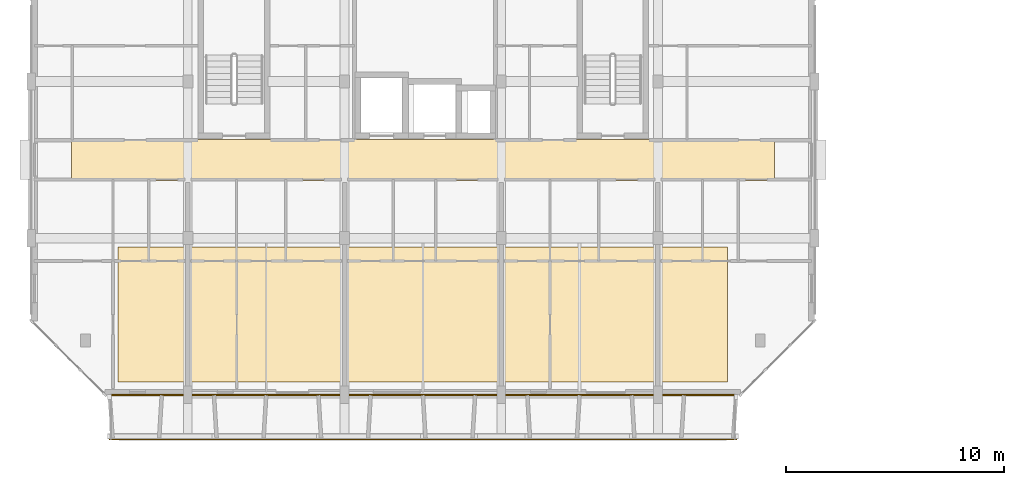
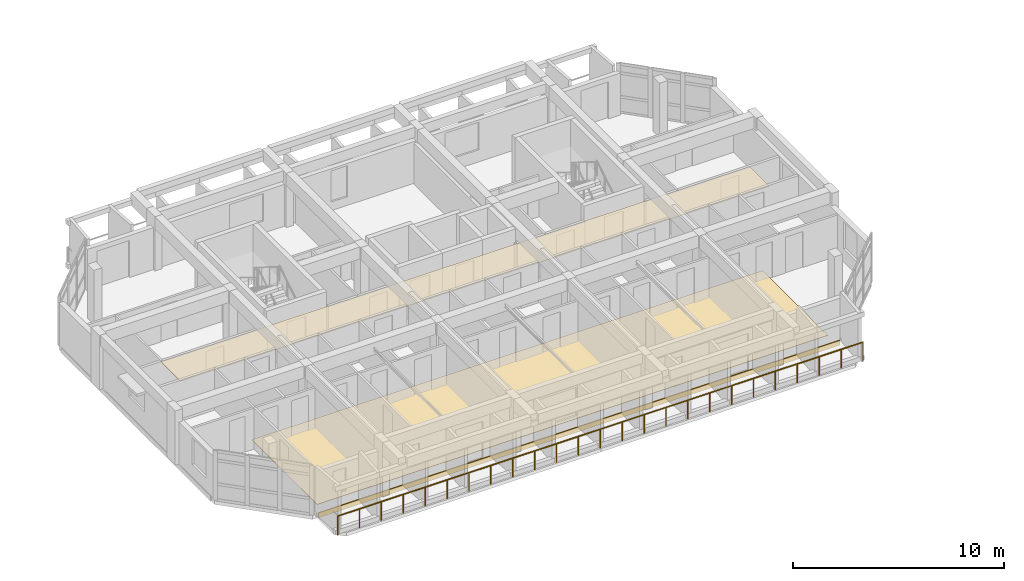
# One storey, part 37 of 46: 3 coverings, 1 railing.
"""IFC4 building model written with IfcOpenShell, lengths in metres."""

import ifcopenshell
import ifcopenshell.guid

model = None  # the IFC model being written
_history = None  # IfcOwnerHistory: only IFC2X3 demands one
_inside = {}  # id of a spatial element -> (the spatial element, [elements in it])
_under = {}  # id of a project, library or spatial element -> (it, [spatial elements below it])
_declared = {}  # id of a project -> (the project, [libraries it declares])
_typed = {}  # id of a type object -> (the type object, [elements of that type])
_made_of = {}  # id of a material, layer set ... -> (it, [elements and type objects made of it])


def new_model(schema):
    """Start an empty IFC model of exactly this schema.

    Asked for "IFC4X3", IfcOpenShell would pick the latest addendum, in which some entities
    have other attributes; the version numbers below select the first issue.
    IFC2X3 requires an IfcOwnerHistory on every rooted entity: one is made here for all.
    """
    global model, _history
    if schema == "IFC4X3":
        model = ifcopenshell.file(schema_version=(4, 3, 0, 0))
    else:
        model = ifcopenshell.file(schema=schema)
    _inside.clear()
    _under.clear()
    _declared.clear()
    _typed.clear()
    _made_of.clear()
    _history = None
    if model.schema == "IFC2X3":
        org = make("IfcOrganization", Name="unknown")
        user = make(
            "IfcPersonAndOrganization",
            ThePerson=make("IfcPerson", FamilyName="unknown"),
            TheOrganization=org,
        )
        app = make(
            "IfcApplication",
            ApplicationDeveloper=org,
            Version="unknown",
            ApplicationFullName="unknown",
            ApplicationIdentifier="unknown",
        )
        _history = make(
            "IfcOwnerHistory",
            OwningUser=user,
            OwningApplication=app,
            ChangeAction="ADDED",
            CreationDate=0,
        )
    return model


def make(cls, **values):
    """One entity of the class cls with the attributes given. An attribute that is None is left unset."""
    return model.create_entity(
        cls, **{name: value for name, value in values.items() if value is not None}
    )


def rooted(cls, **values):
    """An entity with a GlobalId (a new one), such as an element, a storey or a relation."""
    return make(cls, GlobalId=ifcopenshell.guid.new(), OwnerHistory=_history, **values)


def si_unit(unit_type, name, prefix=None):
    """IfcSIUnit, for example si_unit("LENGTHUNIT", "METRE", prefix="MILLI")."""
    return make("IfcSIUnit", UnitType=unit_type, Prefix=prefix, Name=name)


def assignment(units):
    """IfcUnitAssignment: the units of a project."""
    return None if units is None else make("IfcUnitAssignment", Units=units)


def point(xyz):
    """IfcCartesianPoint."""
    return None if xyz is None else make("IfcCartesianPoint", Coordinates=xyz)


def direction(xyz):
    """IfcDirection."""
    return None if xyz is None else make("IfcDirection", DirectionRatios=xyz)


def frame(location, z_axis=None, x_axis=None):
    """IfcAxis2Placement3D, a coordinate frame: its origin and axes. An axis left out is left unset."""
    return make(
        "IfcAxis2Placement3D",
        Location=point(location),
        Axis=direction(z_axis),
        RefDirection=direction(x_axis),
    )


def frame_2d(location, x_axis=None):
    """IfcAxis2Placement2D, a coordinate frame in the plane: its origin and x axis."""
    return make(
        "IfcAxis2Placement2D", Location=point(location), RefDirection=direction(x_axis)
    )


def origin():
    """The frame at (0, 0, 0) with its axes left unset."""
    return frame((0.0, 0.0, 0.0))


def origin_2d():
    """The frame at (0, 0) in the plane with its x axis left unset."""
    return frame_2d((0.0, 0.0))


def place(relative_to, where):
    """IfcLocalPlacement: puts the frame where relative to a parent placement (None: the world)."""
    return make(
        "IfcLocalPlacement", PlacementRelTo=relative_to, RelativePlacement=where
    )


def context(
    kind, dimensions, precision=None, world=None, true_north=None, identifier=None
):
    """IfcGeometricRepresentationContext, for example the 3D "Model" context."""
    return make(
        "IfcGeometricRepresentationContext",
        ContextIdentifier=identifier,
        ContextType=kind,
        CoordinateSpaceDimension=dimensions,
        Precision=precision,
        WorldCoordinateSystem=world,
        TrueNorth=true_north,
    )


def subcontext(parent, identifier, kind, view, scale=None):
    """IfcGeometricRepresentationSubContext, for example "Body" below "Model"."""
    return make(
        "IfcGeometricRepresentationSubContext",
        ContextIdentifier=identifier,
        ContextType=kind,
        ParentContext=parent,
        TargetScale=scale,
        TargetView=view,
    )


def project(units=None, contexts=None):
    """IfcProject with its units and contexts."""
    return rooted(
        "IfcProject",
        Name="project",
        RepresentationContexts=contexts,
        UnitsInContext=assignment(units),
    )


def spatial(cls, under=None, at=None, **own):
    """A site, building, storey or space (cls), placed at a placement, below another one or the project."""
    s = rooted(cls, ObjectPlacement=at, **own)
    if under is not None:
        _under.setdefault(under.id(), (under, []))[1].append(s)
    return s


def polyline(points):
    """IfcPolyline through the points."""
    return make("IfcPolyline", Points=[point(p) for p in points])


def profile(cls, at=None, kind="AREA", **sizes):
    """A parametric profile (cls). Its sizes go by their IFC names, for example OverallWidth=200.0."""
    return make(cls, ProfileType=kind, Position=at, **sizes)


def rectangle(**sizes):
    """IfcRectangleProfileDef."""
    return profile("IfcRectangleProfileDef", **sizes)


def circle(**sizes):
    """IfcCircleProfileDef."""
    return profile("IfcCircleProfileDef", **sizes)


def outline(outer, holes=None, kind="AREA"):
    """IfcArbitraryClosedProfileDef: a profile drawn as a closed curve; with holes, ...WithVoids."""
    if holes is None:
        return make("IfcArbitraryClosedProfileDef", ProfileType=kind, OuterCurve=outer)
    return make(
        "IfcArbitraryProfileDefWithVoids",
        ProfileType=kind,
        OuterCurve=outer,
        InnerCurves=holes,
    )


def extrude(swept, where, along, depth):
    """IfcExtrudedAreaSolid: the profile swept, set in the frame where, extruded along a direction by depth."""
    return make(
        "IfcExtrudedAreaSolid",
        SweptArea=swept,
        Position=where,
        ExtrudedDirection=direction(along),
        Depth=depth,
    )


def shape(context_of_items, identifier, shape_type, items):
    """IfcShapeRepresentation: the items that make up one representation, for example the "Body"."""
    return make(
        "IfcShapeRepresentation",
        ContextOfItems=context_of_items,
        RepresentationIdentifier=identifier,
        RepresentationType=shape_type,
        Items=items,
    )


def material(Name=None, Category=None):
    """IfcMaterial."""
    return make("IfcMaterial", Name=Name, Category=Category)


def layer(
    of_material, thickness, ventilated=None, Name=None, Category=None, Priority=None
):
    """IfcMaterialLayer: one layer of a wall or slab, of a material (None: an air gap)."""
    return make(
        "IfcMaterialLayer",
        Material=of_material,
        LayerThickness=thickness,
        IsVentilated=ventilated,
        Name=Name,
        Category=Category,
        Priority=Priority,
    )


def layer_set(layers, Name=None):
    """IfcMaterialLayerSet."""
    return make("IfcMaterialLayerSet", MaterialLayers=layers, LayerSetName=Name)


def made_of(thing, what):
    """Note that an element or type object is made of a material, layer set ...; save() writes the relation."""
    if what is not None:
        _made_of.setdefault(what.id(), (what, []))[1].append(thing)
    return thing


def type_object(cls, material=None, **own):
    """A type object (cls), such as IfcWallType, which elements share."""
    return made_of(rooted(cls, **own), material)


def element(
    cls,
    number,
    at=None,
    inside=None,
    cuts=None,
    type_object=None,
    material=None,
    context=None,
    identifier="Body",
    shape_type=None,
    held_by="IfcProductDefinitionShape",
    body=None,
    shapes=None,
    **own,
):
    """One element of the class cls, such as IfcWall. Its Tag is "e" and its number.

    at: its placement. inside: the storey or other place that contains it. cuts: it is an
    opening in that element (IfcRelVoidsElement). A single representation is given by context,
    identifier, shape_type and body (its items); several are given by shapes. held_by: the class
    of the entity that holds the representations. save() writes the other relations.
    """
    e = rooted(cls, Tag="e%d" % number, ObjectPlacement=at, **own)
    if body is not None:
        shapes = [shape(context, identifier, shape_type, body)]
    if shapes is not None:
        e.Representation = make(held_by, Representations=shapes)
    if inside is not None:
        _inside.setdefault(inside.id(), (inside, []))[1].append(e)
    if cuts is not None:
        rooted(
            "IfcRelVoidsElement", RelatingBuildingElement=cuts, RelatedOpeningElement=e
        )
    if type_object is not None:
        _typed.setdefault(type_object.id(), (type_object, []))[1].append(e)
    return made_of(e, material)


def aggregate(whole, parts):
    """IfcRelAggregates: a whole, such as a stair, and the parts it consists of."""
    return rooted("IfcRelAggregates", RelatingObject=whole, RelatedObjects=parts)


def save(model, path):
    """Write the relations noted so far, then the file.

    IfcRelAggregates (storeys below a building ...), IfcRelContainedInSpatialStructure (elements
    in a storey), IfcRelDefinesByType, IfcRelAssociatesMaterial and IfcRelDeclares: one each for
    every whole, place, type object, material and project.
    """
    for whole, parts in _under.values():
        aggregate(whole, parts)
    for where, things in _inside.values():
        rooted(
            "IfcRelContainedInSpatialStructure",
            RelatedElements=things,
            RelatingStructure=where,
        )
    for kind, things in _typed.values():
        rooted("IfcRelDefinesByType", RelatedObjects=things, RelatingType=kind)
    for what, things in _made_of.values():
        rooted("IfcRelAssociatesMaterial", RelatedObjects=things, RelatingMaterial=what)
    for by, libraries in _declared.values():
        rooted("IfcRelDeclares", RelatingContext=by, RelatedDefinitions=libraries)
    model.write(path)


model = new_model("IFC4")

# Units and contexts
model_context = context("Model", 3, precision=1e-05, world=origin(), true_north=direction((0.0, 1.0)))
body_context = subcontext(model_context, "Body", "Model", "MODEL_VIEW")
ifc_project = project(units=[si_unit("LENGTHUNIT", "METRE"), si_unit("AREAUNIT", "SQUARE_METRE"), si_unit("VOLUMEUNIT", "CUBIC_METRE"), si_unit("PLANEANGLEUNIT", "RADIAN"), si_unit("MASSUNIT", "GRAM", prefix="KILO")], contexts=[model_context])

# Site, building, storey
site_placement = place(None, origin())
site = spatial("IfcSite", under=ifc_project, at=site_placement, CompositionType="ELEMENT")
building_placement = place(site_placement, origin())
building = spatial("IfcBuilding", under=site, at=building_placement, Name="Ochrevale Crest", CompositionType="ELEMENT")
storey_placement = place(building_placement, frame((0.0, 0.0, 24.449951171875)))
storey = spatial("IfcBuildingStorey", under=building, at=storey_placement, Name="L07", CompositionType="ELEMENT", Elevation=24.449951171875)

# Coverings
ifc_material_1 = material(Name="Gypsum plasterboard", Category="gypsum")
ifc_layer_1 = layer(ifc_material_1, 0.02490234375)
ifc_layer_set_1 = layer_set([ifc_layer_1], Name="Gypsum plasterboard")
covering_type_1 = type_object("IfcCoveringType", Name="COV-CEIL-GYP", PredefinedType="CEILING", material=ifc_layer_set_1)
covering_1_placement = place(storey_placement, frame((0.0, 0.0, 2.280029296875)))
element("IfcCovering", 1, at=covering_1_placement, inside=storey, type_object=covering_type_1, Name="Block A L07 acoustic corridor ceiling", PredefinedType="CEILING", context=body_context, shape_type="SweptSolid", body=[
    extrude(outline(polyline([(1.85009765625, 24.260009765625), (34.14990234375, 24.260009765625), (34.14990234375, 26.139892578125), (1.85009765625, 26.139892578125), (1.85009765625, 24.260009765625)])), origin(), (0.0, 0.0, 1.0), 0.02490234375),
])
ifc_material_2 = material(Name="Glazed terracotta rainscreen tile", Category="masonry")
ifc_layer_2 = layer(ifc_material_2, 0.048095703125)
ifc_layer_set_2 = layer_set([ifc_layer_2], Name="Glazed terracotta rainscreen tile")
covering_type_2 = type_object("IfcCoveringType", Name="COV-CLAD-TER", PredefinedType="CLADDING", material=ifc_layer_set_2)
covering_2_placement = place(storey_placement, frame((18.0, 14.387451171875, -0.259765625), z_axis=(0.0, 0.0, 1.0), x_axis=(1.0, 0.0, 0.0)))
element("IfcCovering", 2, at=covering_2_placement, inside=storey, type_object=covering_type_2, Name="Block A L07 terracotta slab-edge spandrel cladding", PredefinedType="CLADDING", context=body_context, shape_type="SweptSolid", body=[
    extrude(rectangle(XDim=28.60009765625, YDim=0.06005859375, at=origin_2d()), origin(), (0.0, 0.0, 1.0), 0.280029296875),
])
ifc_material_3 = material(Name="Engineered spotted-gum hardwood flooring", Category="wood")
ifc_layer_3 = layer(ifc_material_3, 0.02001953125)
ifc_layer_set_3 = layer_set([ifc_layer_3], Name="Engineered spotted-gum hardwood flooring")
covering_type_3 = type_object("IfcCoveringType", Name="COV-FLR-TIM", PredefinedType="FLOORING", material=ifc_layer_set_3)
covering_3_placement = place(storey_placement, origin())
element("IfcCovering", 3, at=covering_3_placement, inside=storey, type_object=covering_type_3, Name="Block A L07 spotted-gum apartment flooring", PredefinedType="FLOORING", context=body_context, shape_type="SweptSolid", body=[
    extrude(outline(polyline([(4.0, 15.0), (32.0, 15.0), (32.0, 21.199951171875), (4.0, 21.199951171875), (4.0, 15.0)])), origin(), (0.0, 0.0, 1.0), 0.02001953125),
])

# Railing
ifc_material_4 = material(Name="Galvanised steel", Category="steel")
railing_type = type_object("IfcRailingType", Name="RL-BAL-1100", PredefinedType="BALUSTRADE", material=ifc_material_4)
railing_placement = place(storey_placement, frame((3.60009765625, 12.360107421875, 0.0)))
element("IfcRailing", 4, at=railing_placement, inside=storey, type_object=railing_type, Name="Block A L07 S balcony front balustrade", PredefinedType="BALUSTRADE", context=body_context, shape_type="SweptSolid", body=[
    extrude(circle(Radius=0.02392578125, at=origin_2d()), frame((0.0, 0.0, 1.0859375), z_axis=(1.0, 0.0, 0.0), x_axis=(0.0, 1.0, 0.0)), (0.0, 0.0, 1.0), 28.7998046875),
    extrude(circle(Radius=0.02099609375, at=origin_2d()), origin(), (0.0, 0.0, 1.0), 1.06201171875),
    extrude(circle(Radius=0.02099609375, at=origin_2d()), frame((1.199951171875, 0.0, 0.0)), (0.0, 0.0, 1.0), 1.06201171875),
    extrude(circle(Radius=0.02099609375, at=origin_2d()), frame((2.39990234375, 0.0, 0.0)), (0.0, 0.0, 1.0), 1.06201171875),
    extrude(circle(Radius=0.02099609375, at=origin_2d()), frame((3.60009765625, 0.0, 0.0)), (0.0, 0.0, 1.0), 1.06201171875),
    extrude(circle(Radius=0.02099609375, at=origin_2d()), frame((4.800048828125, 0.0, 0.0)), (0.0, 0.0, 1.0), 1.06201171875),
    extrude(circle(Radius=0.02099609375, at=origin_2d()), frame((6.0, 0.0, 0.0)), (0.0, 0.0, 1.0), 1.06201171875),
    extrude(circle(Radius=0.02099609375, at=origin_2d()), frame((7.199951171875, 0.0, 0.0)), (0.0, 0.0, 1.0), 1.06201171875),
    extrude(circle(Radius=0.02099609375, at=origin_2d()), frame((8.39990234375, 0.0, 0.0)), (0.0, 0.0, 1.0), 1.06201171875),
    extrude(circle(Radius=0.02099609375, at=origin_2d()), frame((9.599853515625, 0.0, 0.0)), (0.0, 0.0, 1.0), 1.06201171875),
    extrude(circle(Radius=0.02099609375, at=origin_2d()), frame((10.7998046875, 0.0, 0.0)), (0.0, 0.0, 1.0), 1.06201171875),
    extrude(circle(Radius=0.02099609375, at=origin_2d()), frame((12.0, 0.0, 0.0)), (0.0, 0.0, 1.0), 1.06201171875),
    extrude(circle(Radius=0.02099609375, at=origin_2d()), frame((13.199951171875, 0.0, 0.0)), (0.0, 0.0, 1.0), 1.06201171875),
    extrude(circle(Radius=0.02099609375, at=origin_2d()), frame((14.39990234375, 0.0, 0.0)), (0.0, 0.0, 1.0), 1.06201171875),
    extrude(circle(Radius=0.02099609375, at=origin_2d()), frame((15.599853515625, 0.0, 0.0)), (0.0, 0.0, 1.0), 1.06201171875),
    extrude(circle(Radius=0.02099609375, at=origin_2d()), frame((16.7998046875, 0.0, 0.0)), (0.0, 0.0, 1.0), 1.06201171875),
    extrude(circle(Radius=0.02099609375, at=origin_2d()), frame((18.0, 0.0, 0.0)), (0.0, 0.0, 1.0), 1.06201171875),
    extrude(circle(Radius=0.02099609375, at=origin_2d()), frame((19.199951171875, 0.0, 0.0)), (0.0, 0.0, 1.0), 1.06201171875),
    extrude(circle(Radius=0.02099609375, at=origin_2d()), frame((20.39990234375, 0.0, 0.0)), (0.0, 0.0, 1.0), 1.06201171875),
    extrude(circle(Radius=0.02099609375, at=origin_2d()), frame((21.599853515625, 0.0, 0.0)), (0.0, 0.0, 1.0), 1.06201171875),
    extrude(circle(Radius=0.02099609375, at=origin_2d()), frame((22.7998046875, 0.0, 0.0)), (0.0, 0.0, 1.0), 1.06201171875),
    extrude(circle(Radius=0.02099609375, at=origin_2d()), frame((23.999755859375, 0.0, 0.0)), (0.0, 0.0, 1.0), 1.06201171875),
    extrude(circle(Radius=0.02099609375, at=origin_2d()), frame((25.19970703125, 0.0, 0.0)), (0.0, 0.0, 1.0), 1.06201171875),
    extrude(circle(Radius=0.02099609375, at=origin_2d()), frame((26.39990234375, 0.0, 0.0)), (0.0, 0.0, 1.0), 1.06201171875),
    extrude(circle(Radius=0.02099609375, at=origin_2d()), frame((27.599853515625, 0.0, 0.0)), (0.0, 0.0, 1.0), 1.06201171875),
    extrude(circle(Radius=0.02099609375, at=origin_2d()), frame((28.7998046875, 0.0, 0.0)), (0.0, 0.0, 1.0), 1.06201171875),
])

save(model, "model.ifc")
